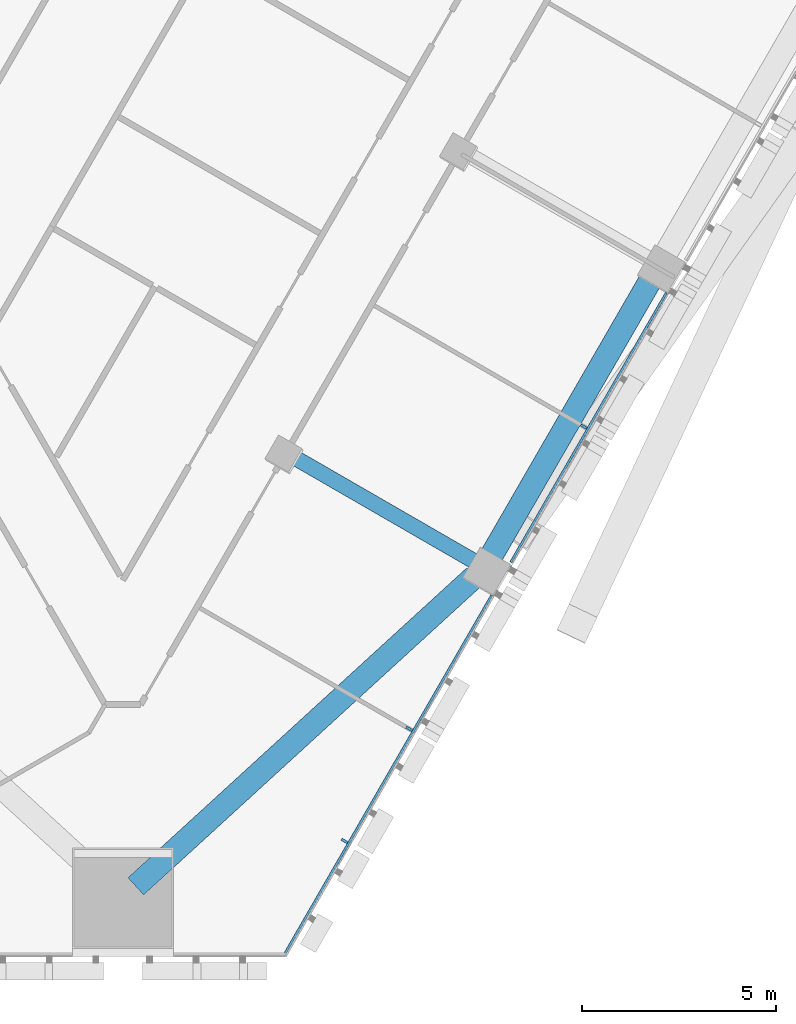
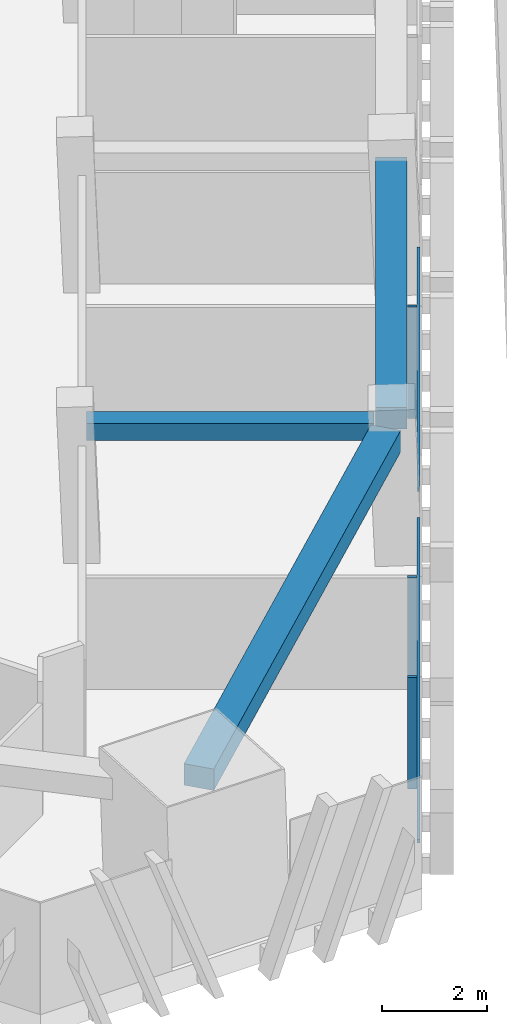
# One storey, part 7 of 23: 5 members, 3 beams, 1 element without a shape of its own.
"""IFC4 building model written with IfcOpenShell, lengths in metres."""

from ifc_helpers import new_model, si_unit, direction, frame, origin, origin_2d, place, context, subcontext, project, spatial, rectangle, extrude, material, layer, layer_set, material_profile, profile_set, type_object, element, aggregate, save


model = new_model("IFC4")

# Units and contexts
model_context = context("Model", 3, precision=1e-05, world=origin(), true_north=direction((0.0, 1.0)))
body_context = subcontext(model_context, "Body", "Model", "MODEL_VIEW")
ifc_project = project(units=[si_unit("LENGTHUNIT", "METRE"), si_unit("AREAUNIT", "SQUARE_METRE"), si_unit("VOLUMEUNIT", "CUBIC_METRE"), si_unit("PLANEANGLEUNIT", "RADIAN"), si_unit("MASSUNIT", "GRAM", prefix="KILO")], contexts=[model_context])

# Site, building, storey
site_placement = place(None, origin())
site = spatial("IfcSite", under=ifc_project, at=site_placement, CompositionType="ELEMENT")
building_placement = place(site_placement, origin())
building = spatial("IfcBuilding", under=site, at=building_placement, Name="Altiplano Prism Tower", CompositionType="ELEMENT")
storey_placement = place(building_placement, frame((0.0, 0.0, 100.800048828125)))
storey = spatial("IfcBuildingStorey", under=building, at=storey_placement, Name="L25", CompositionType="ELEMENT", Elevation=100.800048828125)

# Curtain wall, members
ifc_material_1 = material(Name="Aluminium and glass", Category="aluminium")
ifc_layer = layer(ifc_material_1, 0.280029296875)
ifc_layer_set = layer_set([ifc_layer], Name="Aluminium and glass")
curtain_wall_type = type_object("IfcCurtainWallType", Name="CW1 typical co-living unitised curtain wall", PredefinedType="NOTDEFINED", material=ifc_layer_set)
curtain_wall_placement = place(storey_placement, origin())
curtain_wall = element("IfcCurtainWall", 1, at=curtain_wall_placement, inside=storey, type_object=curtain_wall_type, Name="CW1 curtain wall south-east face L25", PredefinedType="NOTDEFINED")
ifc_material_2 = material(Name="Aluminium", Category="aluminium")
ifc_material_profile_1 = material_profile(ifc_material_2, rectangle(XDim=0.179931640625, YDim=0.06494140625, at=origin_2d()), Name="CW1 mullion 65 x 180")
ifc_profile_set_1 = profile_set([ifc_material_profile_1], Name="Aluminium")
member_type_1 = type_object("IfcMemberType", Name="CW1 mullion 65 x 180", PredefinedType="MULLION", material=ifc_profile_set_1)
member_1_placement = place(storey_placement, frame((90.71435546875, 57.9580078125, 0.0), z_axis=(0.0, 0.0, 1.0), x_axis=(-0.866025402825, 0.500000001663, 0.0)))
member_1 = element("IfcMember", 2, at=member_1_placement, type_object=member_type_1, Name="CW1 mullion", PredefinedType="MULLION", context=body_context, shape_type="SweptSolid", body=[
    extrude(rectangle(XDim=0.179931640625, YDim=0.06494140625, at=origin_2d()), origin(), (0.0, 0.0, 1.0), 2.599853515625),
])
member_2_placement = place(storey_placement, frame((92.382080078125, 60.8466796875, 0.0), z_axis=(0.0, 0.0, 1.0), x_axis=(-0.866025402825, 0.500000001663, 0.0)))
member_2 = element("IfcMember", 3, at=member_2_placement, type_object=member_type_1, Name="CW1 mullion", PredefinedType="MULLION", context=body_context, shape_type="SweptSolid", body=[
    extrude(rectangle(XDim=0.179931640625, YDim=0.06494140625, at=origin_2d()), origin(), (0.0, 0.0, 1.0), 2.599853515625),
])
member_3_placement = place(storey_placement, frame((96.882080078125, 68.640869140625, 0.0), z_axis=(0.0, 0.0, 1.0), x_axis=(-0.866025402825, 0.500000001663, 0.0)))
member_3 = element("IfcMember", 4, at=member_3_placement, type_object=member_type_1, Name="CW1 mullion", PredefinedType="MULLION", context=body_context, shape_type="SweptSolid", body=[
    extrude(rectangle(XDim=0.179931640625, YDim=0.06494140625, at=origin_2d()), origin(), (0.0, 0.0, 1.0), 2.599853515625),
])
ifc_material_profile_2 = material_profile(ifc_material_2, rectangle(XDim=0.06005859375, YDim=0.080078125, at=origin_2d()), Name="CW1 transom 80 x 60")
ifc_profile_set_2 = profile_set([ifc_material_profile_2], Name="Aluminium")
member_type_2 = type_object("IfcMemberType", Name="CW1 transom 80 x 60", PredefinedType="USERDEFINED", material=ifc_profile_set_2)
member_4_placement = place(storey_placement, frame((89.150390625, 55.00927734375, 1.099853515625), z_axis=(0.499996446128, 0.866027455604, 0.0), x_axis=(-0.866027455604, 0.499996446128, 0.0)))
member_4 = element("IfcMember", 5, at=member_4_placement, type_object=member_type_2, Name="CW1 transom", ObjectType="TRANSOM", PredefinedType="USERDEFINED", context=body_context, shape_type="SweptSolid", body=[
    extrude(rectangle(XDim=0.06005859375, YDim=0.080078125, at=origin_2d()), origin(), (0.0, 0.0, 1.0), 10.72119140625),
])
member_5_placement = place(storey_placement, frame((95.0009765625, 65.142333984375, 1.099853515625), z_axis=(0.499972775009, 0.86604112157, 0.0), x_axis=(-0.86604112157, 0.499972775009, 0.0)))
member_5 = element("IfcMember", 6, at=member_5_placement, type_object=member_type_2, Name="CW1 transom", ObjectType="TRANSOM", PredefinedType="USERDEFINED", context=body_context, shape_type="SweptSolid", body=[
    extrude(rectangle(XDim=0.06005859375, YDim=0.080078125, at=origin_2d()), origin(), (0.0, 0.0, 1.0), 8.0205078125),
])
aggregate(curtain_wall, [member_1, member_2, member_4, member_3, member_5])

# Beams
ifc_material_3 = material(Name="Concrete C60/75", Category="concrete")
ifc_material_profile_3 = material_profile(ifc_material_3, rectangle(XDim=0.60009765625, YDim=0.5, at=origin_2d()), Name="Edge beam 600x500")
ifc_profile_set_3 = profile_set([ifc_material_profile_3], Name="Concrete C60/75")
beam_type_1 = type_object("IfcBeamType", Name="Edge beam 600x500", PredefinedType="SPANDREL", material=ifc_profile_set_3)
beam_1_placement = place(storey_placement, frame((85.33203125, 56.788330078125, 2.849853515625), z_axis=(0.738030279454, 0.674767594516, 0.0), x_axis=(-0.674767594516, 0.738030279454, 0.0)))
element("IfcBeam", 7, at=beam_1_placement, inside=storey, type_object=beam_type_1, Name="Edge beam M1-P21 L26", PredefinedType="SPANDREL", context=body_context, shape_type="SweptSolid", body=[
    extrude(rectangle(XDim=0.60009765625, YDim=0.5, at=origin_2d()), origin(), (0.0, 0.0, 1.0), 11.8359375),
])
beam_2_placement = place(storey_placement, frame((94.491943359375, 65.298095703125, 2.849853515625), z_axis=(0.500014701701, 0.866016915587, 0.0), x_axis=(-0.866016915587, 0.500014701701, 0.0)))
element("IfcBeam", 8, at=beam_2_placement, inside=storey, type_object=beam_type_1, Name="Edge beam P21-P22 L26", PredefinedType="SPANDREL", context=body_context, shape_type="SweptSolid", body=[
    extrude(rectangle(XDim=0.60009765625, YDim=0.5, at=origin_2d()), origin(), (0.0, 0.0, 1.0), 8.340087890625),
])
ifc_material_profile_4 = material_profile(ifc_material_3, rectangle(XDim=0.39990234375, YDim=0.39990234375, at=origin_2d()), Name="Tie beam 400x400")
ifc_profile_set_4 = profile_set([ifc_material_profile_4], Name="Concrete C60/75")
beam_type_2 = type_object("IfcBeamType", Name="Tie beam 400x400", PredefinedType="BEAM", material=ifc_profile_set_4)
beam_3_placement = place(storey_placement, frame((89.286865234375, 67.92236328125, 2.89990234375), z_axis=(0.866031549307, -0.499989355492, 0.0), x_axis=(0.499989355492, 0.866031549307, 0.0)))
element("IfcBeam", 9, at=beam_3_placement, inside=storey, type_object=beam_type_2, Name="Tie beam I21 L26", PredefinedType="BEAM", context=body_context, shape_type="SweptSolid", body=[
    extrude(rectangle(XDim=0.39990234375, YDim=0.39990234375, at=origin_2d()), origin(), (0.0, 0.0, 1.0), 5.48974609375),
])

save(model, "model.ifc")
